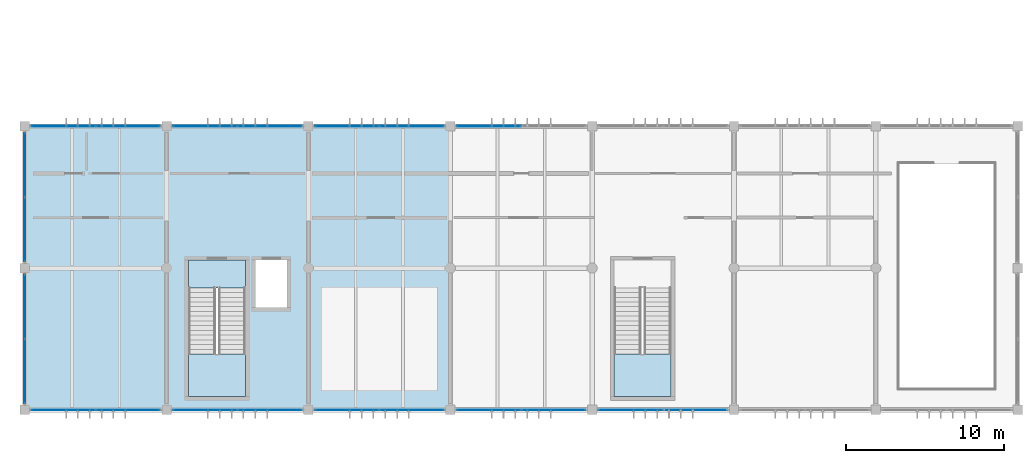
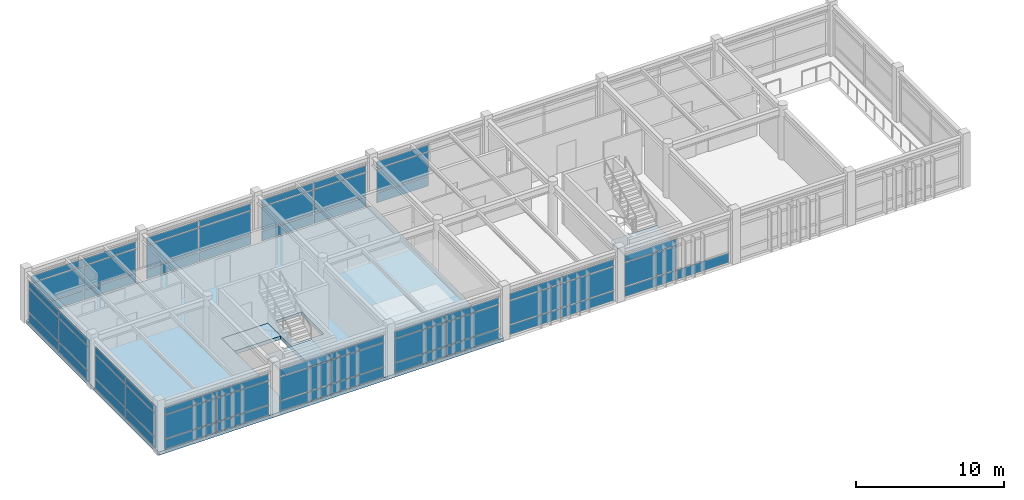
# One storey, part 30 of 55: 61 plates, 4 slabs, 13 elements without a shape of their own.
"""IFC4 building model written with IfcOpenShell, lengths in metres."""

import ifcopenshell
import ifcopenshell.guid

model = None  # the IFC model being written
_history = None  # IfcOwnerHistory: only IFC2X3 demands one
_inside = {}  # id of a spatial element -> (the spatial element, [elements in it])
_under = {}  # id of a project, library or spatial element -> (it, [spatial elements below it])
_declared = {}  # id of a project -> (the project, [libraries it declares])
_typed = {}  # id of a type object -> (the type object, [elements of that type])
_made_of = {}  # id of a material, layer set ... -> (it, [elements and type objects made of it])


def new_model(schema):
    """Start an empty IFC model of exactly this schema.

    Asked for "IFC4X3", IfcOpenShell would pick the latest addendum, in which some entities
    have other attributes; the version numbers below select the first issue.
    IFC2X3 requires an IfcOwnerHistory on every rooted entity: one is made here for all.
    """
    global model, _history
    if schema == "IFC4X3":
        model = ifcopenshell.file(schema_version=(4, 3, 0, 0))
    else:
        model = ifcopenshell.file(schema=schema)
    _inside.clear()
    _under.clear()
    _declared.clear()
    _typed.clear()
    _made_of.clear()
    _history = None
    if model.schema == "IFC2X3":
        org = make("IfcOrganization", Name="unknown")
        user = make(
            "IfcPersonAndOrganization",
            ThePerson=make("IfcPerson", FamilyName="unknown"),
            TheOrganization=org,
        )
        app = make(
            "IfcApplication",
            ApplicationDeveloper=org,
            Version="unknown",
            ApplicationFullName="unknown",
            ApplicationIdentifier="unknown",
        )
        _history = make(
            "IfcOwnerHistory",
            OwningUser=user,
            OwningApplication=app,
            ChangeAction="ADDED",
            CreationDate=0,
        )
    return model


def make(cls, **values):
    """One entity of the class cls with the attributes given. An attribute that is None is left unset."""
    return model.create_entity(
        cls, **{name: value for name, value in values.items() if value is not None}
    )


def rooted(cls, **values):
    """An entity with a GlobalId (a new one), such as an element, a storey or a relation."""
    return make(cls, GlobalId=ifcopenshell.guid.new(), OwnerHistory=_history, **values)


def si_unit(unit_type, name, prefix=None):
    """IfcSIUnit, for example si_unit("LENGTHUNIT", "METRE", prefix="MILLI")."""
    return make("IfcSIUnit", UnitType=unit_type, Prefix=prefix, Name=name)


def assignment(units):
    """IfcUnitAssignment: the units of a project."""
    return None if units is None else make("IfcUnitAssignment", Units=units)


def point(xyz):
    """IfcCartesianPoint."""
    return None if xyz is None else make("IfcCartesianPoint", Coordinates=xyz)


def direction(xyz):
    """IfcDirection."""
    return None if xyz is None else make("IfcDirection", DirectionRatios=xyz)


def frame(location, z_axis=None, x_axis=None):
    """IfcAxis2Placement3D, a coordinate frame: its origin and axes. An axis left out is left unset."""
    return make(
        "IfcAxis2Placement3D",
        Location=point(location),
        Axis=direction(z_axis),
        RefDirection=direction(x_axis),
    )


def frame_2d(location, x_axis=None):
    """IfcAxis2Placement2D, a coordinate frame in the plane: its origin and x axis."""
    return make(
        "IfcAxis2Placement2D", Location=point(location), RefDirection=direction(x_axis)
    )


def origin():
    """The frame at (0, 0, 0) with its axes left unset."""
    return frame((0.0, 0.0, 0.0))


def origin_2d():
    """The frame at (0, 0) in the plane with its x axis left unset."""
    return frame_2d((0.0, 0.0))


def place(relative_to, where):
    """IfcLocalPlacement: puts the frame where relative to a parent placement (None: the world)."""
    return make(
        "IfcLocalPlacement", PlacementRelTo=relative_to, RelativePlacement=where
    )


def context(
    kind, dimensions, precision=None, world=None, true_north=None, identifier=None
):
    """IfcGeometricRepresentationContext, for example the 3D "Model" context."""
    return make(
        "IfcGeometricRepresentationContext",
        ContextIdentifier=identifier,
        ContextType=kind,
        CoordinateSpaceDimension=dimensions,
        Precision=precision,
        WorldCoordinateSystem=world,
        TrueNorth=true_north,
    )


def subcontext(parent, identifier, kind, view, scale=None):
    """IfcGeometricRepresentationSubContext, for example "Body" below "Model"."""
    return make(
        "IfcGeometricRepresentationSubContext",
        ContextIdentifier=identifier,
        ContextType=kind,
        ParentContext=parent,
        TargetScale=scale,
        TargetView=view,
    )


def project(units=None, contexts=None):
    """IfcProject with its units and contexts."""
    return rooted(
        "IfcProject",
        Name="project",
        RepresentationContexts=contexts,
        UnitsInContext=assignment(units),
    )


def spatial(cls, under=None, at=None, **own):
    """A site, building, storey or space (cls), placed at a placement, below another one or the project."""
    s = rooted(cls, ObjectPlacement=at, **own)
    if under is not None:
        _under.setdefault(under.id(), (under, []))[1].append(s)
    return s


def polyline(points):
    """IfcPolyline through the points."""
    return make("IfcPolyline", Points=[point(p) for p in points])


def profile(cls, at=None, kind="AREA", **sizes):
    """A parametric profile (cls). Its sizes go by their IFC names, for example OverallWidth=200.0."""
    return make(cls, ProfileType=kind, Position=at, **sizes)


def rectangle(**sizes):
    """IfcRectangleProfileDef."""
    return profile("IfcRectangleProfileDef", **sizes)


def outline(outer, holes=None, kind="AREA"):
    """IfcArbitraryClosedProfileDef: a profile drawn as a closed curve; with holes, ...WithVoids."""
    if holes is None:
        return make("IfcArbitraryClosedProfileDef", ProfileType=kind, OuterCurve=outer)
    return make(
        "IfcArbitraryProfileDefWithVoids",
        ProfileType=kind,
        OuterCurve=outer,
        InnerCurves=holes,
    )


def extrude(swept, where, along, depth):
    """IfcExtrudedAreaSolid: the profile swept, set in the frame where, extruded along a direction by depth."""
    return make(
        "IfcExtrudedAreaSolid",
        SweptArea=swept,
        Position=where,
        ExtrudedDirection=direction(along),
        Depth=depth,
    )


def shape(context_of_items, identifier, shape_type, items):
    """IfcShapeRepresentation: the items that make up one representation, for example the "Body"."""
    return make(
        "IfcShapeRepresentation",
        ContextOfItems=context_of_items,
        RepresentationIdentifier=identifier,
        RepresentationType=shape_type,
        Items=items,
    )


def material(Name=None, Category=None):
    """IfcMaterial."""
    return make("IfcMaterial", Name=Name, Category=Category)


def layer(
    of_material, thickness, ventilated=None, Name=None, Category=None, Priority=None
):
    """IfcMaterialLayer: one layer of a wall or slab, of a material (None: an air gap)."""
    return make(
        "IfcMaterialLayer",
        Material=of_material,
        LayerThickness=thickness,
        IsVentilated=ventilated,
        Name=Name,
        Category=Category,
        Priority=Priority,
    )


def layer_set(layers, Name=None):
    """IfcMaterialLayerSet."""
    return make("IfcMaterialLayerSet", MaterialLayers=layers, LayerSetName=Name)


def made_of(thing, what):
    """Note that an element or type object is made of a material, layer set ...; save() writes the relation."""
    if what is not None:
        _made_of.setdefault(what.id(), (what, []))[1].append(thing)
    return thing


def type_object(cls, material=None, **own):
    """A type object (cls), such as IfcWallType, which elements share."""
    return made_of(rooted(cls, **own), material)


def element(
    cls,
    number,
    at=None,
    inside=None,
    cuts=None,
    type_object=None,
    material=None,
    context=None,
    identifier="Body",
    shape_type=None,
    held_by="IfcProductDefinitionShape",
    body=None,
    shapes=None,
    **own,
):
    """One element of the class cls, such as IfcWall. Its Tag is "e" and its number.

    at: its placement. inside: the storey or other place that contains it. cuts: it is an
    opening in that element (IfcRelVoidsElement). A single representation is given by context,
    identifier, shape_type and body (its items); several are given by shapes. held_by: the class
    of the entity that holds the representations. save() writes the other relations.
    """
    e = rooted(cls, Tag="e%d" % number, ObjectPlacement=at, **own)
    if body is not None:
        shapes = [shape(context, identifier, shape_type, body)]
    if shapes is not None:
        e.Representation = make(held_by, Representations=shapes)
    if inside is not None:
        _inside.setdefault(inside.id(), (inside, []))[1].append(e)
    if cuts is not None:
        rooted(
            "IfcRelVoidsElement", RelatingBuildingElement=cuts, RelatedOpeningElement=e
        )
    if type_object is not None:
        _typed.setdefault(type_object.id(), (type_object, []))[1].append(e)
    return made_of(e, material)


def aggregate(whole, parts):
    """IfcRelAggregates: a whole, such as a stair, and the parts it consists of."""
    return rooted("IfcRelAggregates", RelatingObject=whole, RelatedObjects=parts)


def save(model, path):
    """Write the relations noted so far, then the file.

    IfcRelAggregates (storeys below a building ...), IfcRelContainedInSpatialStructure (elements
    in a storey), IfcRelDefinesByType, IfcRelAssociatesMaterial and IfcRelDeclares: one each for
    every whole, place, type object, material and project.
    """
    for whole, parts in _under.values():
        aggregate(whole, parts)
    for where, things in _inside.values():
        rooted(
            "IfcRelContainedInSpatialStructure",
            RelatedElements=things,
            RelatingStructure=where,
        )
    for kind, things in _typed.values():
        rooted("IfcRelDefinesByType", RelatedObjects=things, RelatingType=kind)
    for what, things in _made_of.values():
        rooted("IfcRelAssociatesMaterial", RelatedObjects=things, RelatingMaterial=what)
    for by, libraries in _declared.values():
        rooted("IfcRelDeclares", RelatingContext=by, RelatedDefinitions=libraries)
    model.write(path)


model = new_model("IFC4")

# Units and contexts
model_context = context("Model", 3, precision=1e-05, world=origin(), true_north=direction((0.0, 1.0)))
body_context = subcontext(model_context, "Body", "Model", "MODEL_VIEW")
ifc_project = project(units=[si_unit("LENGTHUNIT", "METRE"), si_unit("AREAUNIT", "SQUARE_METRE"), si_unit("VOLUMEUNIT", "CUBIC_METRE"), si_unit("PLANEANGLEUNIT", "RADIAN"), si_unit("MASSUNIT", "GRAM", prefix="KILO")], contexts=[model_context])

# Site, building, storey
site_placement = place(None, origin())
site = spatial("IfcSite", under=ifc_project, at=site_placement, CompositionType="ELEMENT")
building_placement = place(site_placement, origin())
building = spatial("IfcBuilding", under=site, at=building_placement, Name="Bozkorgan Art Gallery", CompositionType="ELEMENT")
storey_placement = place(building_placement, frame((0.0, 0.0, 15.0)))
storey = spatial("IfcBuildingStorey", under=building, at=storey_placement, Name="L03", CompositionType="ELEMENT", Elevation=15.0)

# Curtain wall, plates
ifc_material_1 = material(Name="Anodised Bronze Aluminium", Category="aluminium")
curtain_wall_type = type_object("IfcCurtainWallType", Name="CW-CW-42", PredefinedType="NOTDEFINED", material=ifc_material_1)
curtain_wall_1_placement = place(storey_placement, origin())
curtain_wall_1 = element("IfcCurtainWall", 1, at=curtain_wall_1_placement, inside=storey, type_object=curtain_wall_type, Name="L03 unitised curtain wall CW-V1-L03-1S-01", PredefinedType="NOTDEFINED")
ifc_material_2 = material(Name="Triple Low-E Laminated Glass", Category="glass")
ifc_layer_1 = layer(ifc_material_2, 0.0439453125, Name="Triple Low-E Laminated Glass")
ifc_layer_set_1 = layer_set([ifc_layer_1], Name="Triple Low-E Laminated Glass")
plate_type = type_object("IfcPlateType", Name="CWP-GLZ", PredefinedType="CURTAIN_PANEL", material=ifc_layer_set_1)
plate_1_placement = place(storey_placement, frame((4.44873046875, 2.0, 0.094970703125), z_axis=(0.0, 0.0, 1.0), x_axis=(1.0, 0.0, 0.0)))
plate_1 = element("IfcPlate", 2, at=plate_1_placement, type_object=plate_type, Name="CW-42 panel 1.1", PredefinedType="CURTAIN_PANEL", context=body_context, shape_type="SweptSolid", body=[
    extrude(rectangle(XDim=4.03759765625, YDim=0.0439453125, at=origin_2d()), origin(), (0.0, 0.0, 1.0), 0.78759765625),
])
plate_2_placement = place(storey_placement, frame((4.44873046875, 2.0, 0.95751953125), z_axis=(0.0, 0.0, 1.0), x_axis=(1.0, 0.0, 0.0)))
plate_2 = element("IfcPlate", 3, at=plate_2_placement, type_object=plate_type, Name="CW-42 panel 1.2", PredefinedType="CURTAIN_PANEL", context=body_context, shape_type="SweptSolid", body=[
    extrude(rectangle(XDim=4.03759765625, YDim=0.0439453125, at=origin_2d()), origin(), (0.0, 0.0, 1.0), 1.929931640625),
])
plate_3_placement = place(storey_placement, frame((4.44873046875, 2.0, 2.96240234375), z_axis=(0.0, 0.0, 1.0), x_axis=(1.0, 0.0, 0.0)))
plate_3 = element("IfcPlate", 4, at=plate_3_placement, type_object=plate_type, Name="CW-42 panel 1.3", PredefinedType="CURTAIN_PANEL", context=body_context, shape_type="SweptSolid", body=[
    extrude(rectangle(XDim=4.03759765625, YDim=0.0439453125, at=origin_2d()), origin(), (0.0, 0.0, 1.0), 0.53759765625),
])
plate_4_placement = place(storey_placement, frame((8.55126953125, 2.0, 0.094970703125), z_axis=(0.0, 0.0, 1.0), x_axis=(1.0, 0.0, 0.0)))
plate_4 = element("IfcPlate", 5, at=plate_4_placement, type_object=plate_type, Name="CW-42 panel 2.1", PredefinedType="CURTAIN_PANEL", context=body_context, shape_type="SweptSolid", body=[
    extrude(rectangle(XDim=4.03759765625, YDim=0.0439453125, at=origin_2d()), origin(), (0.0, 0.0, 1.0), 0.78759765625),
])
plate_5_placement = place(storey_placement, frame((8.55126953125, 2.0, 0.95751953125), z_axis=(0.0, 0.0, 1.0), x_axis=(1.0, 0.0, 0.0)))
plate_5 = element("IfcPlate", 6, at=plate_5_placement, type_object=plate_type, Name="CW-42 panel 2.2", PredefinedType="CURTAIN_PANEL", context=body_context, shape_type="SweptSolid", body=[
    extrude(rectangle(XDim=4.03759765625, YDim=0.0439453125, at=origin_2d()), origin(), (0.0, 0.0, 1.0), 1.929931640625),
])
plate_6_placement = place(storey_placement, frame((8.55126953125, 2.0, 2.96240234375), z_axis=(0.0, 0.0, 1.0), x_axis=(1.0, 0.0, 0.0)))
plate_6 = element("IfcPlate", 7, at=plate_6_placement, type_object=plate_type, Name="CW-42 panel 2.3", PredefinedType="CURTAIN_PANEL", context=body_context, shape_type="SweptSolid", body=[
    extrude(rectangle(XDim=4.03759765625, YDim=0.0439453125, at=origin_2d()), origin(), (0.0, 0.0, 1.0), 0.53759765625),
])
aggregate(curtain_wall_1, [plate_1, plate_2, plate_3, plate_4, plate_5, plate_6])

curtain_wall_2_placement = place(storey_placement, origin())
curtain_wall_2 = element("IfcCurtainWall", 8, at=curtain_wall_2_placement, inside=storey, type_object=curtain_wall_type, Name="L03 unitised curtain wall CW-V1-L03-1N-02", PredefinedType="NOTDEFINED")
plate_7_placement = place(storey_placement, frame((4.44873046875, 20.0, 0.094970703125), z_axis=(0.0, 0.0, 1.0), x_axis=(1.0, 0.0, 0.0)))
plate_7 = element("IfcPlate", 9, at=plate_7_placement, type_object=plate_type, Name="CW-42 panel 1.1", PredefinedType="CURTAIN_PANEL", context=body_context, shape_type="SweptSolid", body=[
    extrude(rectangle(XDim=4.03759765625, YDim=0.0439453125, at=origin_2d()), origin(), (0.0, 0.0, 1.0), 0.78759765625),
])
plate_8_placement = place(storey_placement, frame((4.44873046875, 20.0, 0.95751953125), z_axis=(0.0, 0.0, 1.0), x_axis=(1.0, 0.0, 0.0)))
plate_8 = element("IfcPlate", 10, at=plate_8_placement, type_object=plate_type, Name="CW-42 panel 1.2", PredefinedType="CURTAIN_PANEL", context=body_context, shape_type="SweptSolid", body=[
    extrude(rectangle(XDim=4.03759765625, YDim=0.0439453125, at=origin_2d()), origin(), (0.0, 0.0, 1.0), 1.929931640625),
])
plate_9_placement = place(storey_placement, frame((4.44873046875, 20.0, 2.96240234375), z_axis=(0.0, 0.0, 1.0), x_axis=(1.0, 0.0, 0.0)))
plate_9 = element("IfcPlate", 11, at=plate_9_placement, type_object=plate_type, Name="CW-42 panel 1.3", PredefinedType="CURTAIN_PANEL", context=body_context, shape_type="SweptSolid", body=[
    extrude(rectangle(XDim=4.03759765625, YDim=0.0439453125, at=origin_2d()), origin(), (0.0, 0.0, 1.0), 0.53759765625),
])
plate_10_placement = place(storey_placement, frame((8.55126953125, 20.0, 0.094970703125), z_axis=(0.0, 0.0, 1.0), x_axis=(1.0, 0.0, 0.0)))
plate_10 = element("IfcPlate", 12, at=plate_10_placement, type_object=plate_type, Name="CW-42 panel 2.1", PredefinedType="CURTAIN_PANEL", context=body_context, shape_type="SweptSolid", body=[
    extrude(rectangle(XDim=4.03759765625, YDim=0.0439453125, at=origin_2d()), origin(), (0.0, 0.0, 1.0), 0.78759765625),
])
plate_11_placement = place(storey_placement, frame((8.55126953125, 20.0, 0.95751953125), z_axis=(0.0, 0.0, 1.0), x_axis=(1.0, 0.0, 0.0)))
plate_11 = element("IfcPlate", 13, at=plate_11_placement, type_object=plate_type, Name="CW-42 panel 2.2", PredefinedType="CURTAIN_PANEL", context=body_context, shape_type="SweptSolid", body=[
    extrude(rectangle(XDim=4.03759765625, YDim=0.0439453125, at=origin_2d()), origin(), (0.0, 0.0, 1.0), 1.929931640625),
])
plate_12_placement = place(storey_placement, frame((8.55126953125, 20.0, 2.96240234375), z_axis=(0.0, 0.0, 1.0), x_axis=(1.0, 0.0, 0.0)))
plate_12 = element("IfcPlate", 14, at=plate_12_placement, type_object=plate_type, Name="CW-42 panel 2.3", PredefinedType="CURTAIN_PANEL", context=body_context, shape_type="SweptSolid", body=[
    extrude(rectangle(XDim=4.03759765625, YDim=0.0439453125, at=origin_2d()), origin(), (0.0, 0.0, 1.0), 0.53759765625),
])
aggregate(curtain_wall_2, [plate_7, plate_8, plate_9, plate_10, plate_11, plate_12])

curtain_wall_3_placement = place(storey_placement, origin())
curtain_wall_3 = element("IfcCurtainWall", 15, at=curtain_wall_3_placement, inside=storey, type_object=curtain_wall_type, Name="L03 unitised curtain wall CW-V1-L03-1S-03", PredefinedType="NOTDEFINED")
plate_13_placement = place(storey_placement, frame((13.44873046875, 2.0, 0.094970703125), z_axis=(0.0, 0.0, 1.0), x_axis=(1.0, 0.0, 0.0)))
plate_13 = element("IfcPlate", 16, at=plate_13_placement, type_object=plate_type, Name="CW-42 panel 1.1", PredefinedType="CURTAIN_PANEL", context=body_context, shape_type="SweptSolid", body=[
    extrude(rectangle(XDim=4.03759765625, YDim=0.0439453125, at=origin_2d()), origin(), (0.0, 0.0, 1.0), 0.78759765625),
])
plate_14_placement = place(storey_placement, frame((13.44873046875, 2.0, 0.95751953125), z_axis=(0.0, 0.0, 1.0), x_axis=(1.0, 0.0, 0.0)))
plate_14 = element("IfcPlate", 17, at=plate_14_placement, type_object=plate_type, Name="CW-42 panel 1.2", PredefinedType="CURTAIN_PANEL", context=body_context, shape_type="SweptSolid", body=[
    extrude(rectangle(XDim=4.03759765625, YDim=0.0439453125, at=origin_2d()), origin(), (0.0, 0.0, 1.0), 1.929931640625),
])
plate_15_placement = place(storey_placement, frame((13.44873046875, 2.0, 2.96240234375), z_axis=(0.0, 0.0, 1.0), x_axis=(1.0, 0.0, 0.0)))
plate_15 = element("IfcPlate", 18, at=plate_15_placement, type_object=plate_type, Name="CW-42 panel 1.3", PredefinedType="CURTAIN_PANEL", context=body_context, shape_type="SweptSolid", body=[
    extrude(rectangle(XDim=4.03759765625, YDim=0.0439453125, at=origin_2d()), origin(), (0.0, 0.0, 1.0), 0.53759765625),
])
plate_16_placement = place(storey_placement, frame((17.55126953125, 2.0, 0.094970703125), z_axis=(0.0, 0.0, 1.0), x_axis=(1.0, 0.0, 0.0)))
plate_16 = element("IfcPlate", 19, at=plate_16_placement, type_object=plate_type, Name="CW-42 panel 2.1", PredefinedType="CURTAIN_PANEL", context=body_context, shape_type="SweptSolid", body=[
    extrude(rectangle(XDim=4.03759765625, YDim=0.0439453125, at=origin_2d()), origin(), (0.0, 0.0, 1.0), 0.78759765625),
])
plate_17_placement = place(storey_placement, frame((17.55126953125, 2.0, 0.95751953125), z_axis=(0.0, 0.0, 1.0), x_axis=(1.0, 0.0, 0.0)))
plate_17 = element("IfcPlate", 20, at=plate_17_placement, type_object=plate_type, Name="CW-42 panel 2.2", PredefinedType="CURTAIN_PANEL", context=body_context, shape_type="SweptSolid", body=[
    extrude(rectangle(XDim=4.03759765625, YDim=0.0439453125, at=origin_2d()), origin(), (0.0, 0.0, 1.0), 1.929931640625),
])
plate_18_placement = place(storey_placement, frame((17.55126953125, 2.0, 2.96240234375), z_axis=(0.0, 0.0, 1.0), x_axis=(1.0, 0.0, 0.0)))
plate_18 = element("IfcPlate", 21, at=plate_18_placement, type_object=plate_type, Name="CW-42 panel 2.3", PredefinedType="CURTAIN_PANEL", context=body_context, shape_type="SweptSolid", body=[
    extrude(rectangle(XDim=4.03759765625, YDim=0.0439453125, at=origin_2d()), origin(), (0.0, 0.0, 1.0), 0.53759765625),
])
aggregate(curtain_wall_3, [plate_13, plate_14, plate_15, plate_16, plate_17, plate_18])

curtain_wall_4_placement = place(storey_placement, origin())
curtain_wall_4 = element("IfcCurtainWall", 22, at=curtain_wall_4_placement, inside=storey, type_object=curtain_wall_type, Name="L03 unitised curtain wall CW-V1-L03-1N-04", PredefinedType="NOTDEFINED")
plate_19_placement = place(storey_placement, frame((13.44873046875, 20.0, 0.094970703125), z_axis=(0.0, 0.0, 1.0), x_axis=(1.0, 0.0, 0.0)))
plate_19 = element("IfcPlate", 23, at=plate_19_placement, type_object=plate_type, Name="CW-42 panel 1.1", PredefinedType="CURTAIN_PANEL", context=body_context, shape_type="SweptSolid", body=[
    extrude(rectangle(XDim=4.03759765625, YDim=0.0439453125, at=origin_2d()), origin(), (0.0, 0.0, 1.0), 0.78759765625),
])
plate_20_placement = place(storey_placement, frame((13.44873046875, 20.0, 0.95751953125), z_axis=(0.0, 0.0, 1.0), x_axis=(1.0, 0.0, 0.0)))
plate_20 = element("IfcPlate", 24, at=plate_20_placement, type_object=plate_type, Name="CW-42 panel 1.2", PredefinedType="CURTAIN_PANEL", context=body_context, shape_type="SweptSolid", body=[
    extrude(rectangle(XDim=4.03759765625, YDim=0.0439453125, at=origin_2d()), origin(), (0.0, 0.0, 1.0), 1.929931640625),
])
plate_21_placement = place(storey_placement, frame((13.44873046875, 20.0, 2.96240234375), z_axis=(0.0, 0.0, 1.0), x_axis=(1.0, 0.0, 0.0)))
plate_21 = element("IfcPlate", 25, at=plate_21_placement, type_object=plate_type, Name="CW-42 panel 1.3", PredefinedType="CURTAIN_PANEL", context=body_context, shape_type="SweptSolid", body=[
    extrude(rectangle(XDim=4.03759765625, YDim=0.0439453125, at=origin_2d()), origin(), (0.0, 0.0, 1.0), 0.53759765625),
])
plate_22_placement = place(storey_placement, frame((17.55126953125, 20.0, 0.094970703125), z_axis=(0.0, 0.0, 1.0), x_axis=(1.0, 0.0, 0.0)))
plate_22 = element("IfcPlate", 26, at=plate_22_placement, type_object=plate_type, Name="CW-42 panel 2.1", PredefinedType="CURTAIN_PANEL", context=body_context, shape_type="SweptSolid", body=[
    extrude(rectangle(XDim=4.03759765625, YDim=0.0439453125, at=origin_2d()), origin(), (0.0, 0.0, 1.0), 0.78759765625),
])
plate_23_placement = place(storey_placement, frame((17.55126953125, 20.0, 0.95751953125), z_axis=(0.0, 0.0, 1.0), x_axis=(1.0, 0.0, 0.0)))
plate_23 = element("IfcPlate", 27, at=plate_23_placement, type_object=plate_type, Name="CW-42 panel 2.2", PredefinedType="CURTAIN_PANEL", context=body_context, shape_type="SweptSolid", body=[
    extrude(rectangle(XDim=4.03759765625, YDim=0.0439453125, at=origin_2d()), origin(), (0.0, 0.0, 1.0), 1.929931640625),
])
plate_24_placement = place(storey_placement, frame((17.55126953125, 20.0, 2.96240234375), z_axis=(0.0, 0.0, 1.0), x_axis=(1.0, 0.0, 0.0)))
plate_24 = element("IfcPlate", 28, at=plate_24_placement, type_object=plate_type, Name="CW-42 panel 2.3", PredefinedType="CURTAIN_PANEL", context=body_context, shape_type="SweptSolid", body=[
    extrude(rectangle(XDim=4.03759765625, YDim=0.0439453125, at=origin_2d()), origin(), (0.0, 0.0, 1.0), 0.53759765625),
])
aggregate(curtain_wall_4, [plate_19, plate_20, plate_21, plate_22, plate_23, plate_24])

curtain_wall_5_placement = place(storey_placement, origin())
curtain_wall_5 = element("IfcCurtainWall", 29, at=curtain_wall_5_placement, inside=storey, type_object=curtain_wall_type, Name="L03 unitised curtain wall CW-V1-L03-1S-05", PredefinedType="NOTDEFINED")
plate_25_placement = place(storey_placement, frame((22.44873046875, 2.0, 0.094970703125), z_axis=(0.0, 0.0, 1.0), x_axis=(1.0, 0.0, 0.0)))
plate_25 = element("IfcPlate", 30, at=plate_25_placement, type_object=plate_type, Name="CW-42 panel 1.1", PredefinedType="CURTAIN_PANEL", context=body_context, shape_type="SweptSolid", body=[
    extrude(rectangle(XDim=4.03759765625, YDim=0.0439453125, at=origin_2d()), origin(), (0.0, 0.0, 1.0), 0.78759765625),
])
plate_26_placement = place(storey_placement, frame((22.44873046875, 2.0, 0.95751953125), z_axis=(0.0, 0.0, 1.0), x_axis=(1.0, 0.0, 0.0)))
plate_26 = element("IfcPlate", 31, at=plate_26_placement, type_object=plate_type, Name="CW-42 panel 1.2", PredefinedType="CURTAIN_PANEL", context=body_context, shape_type="SweptSolid", body=[
    extrude(rectangle(XDim=4.03759765625, YDim=0.0439453125, at=origin_2d()), origin(), (0.0, 0.0, 1.0), 1.929931640625),
])
plate_27_placement = place(storey_placement, frame((22.44873046875, 2.0, 2.96240234375), z_axis=(0.0, 0.0, 1.0), x_axis=(1.0, 0.0, 0.0)))
plate_27 = element("IfcPlate", 32, at=plate_27_placement, type_object=plate_type, Name="CW-42 panel 1.3", PredefinedType="CURTAIN_PANEL", context=body_context, shape_type="SweptSolid", body=[
    extrude(rectangle(XDim=4.03759765625, YDim=0.0439453125, at=origin_2d()), origin(), (0.0, 0.0, 1.0), 0.53759765625),
])
plate_28_placement = place(storey_placement, frame((26.55126953125, 2.0, 0.094970703125), z_axis=(0.0, 0.0, 1.0), x_axis=(1.0, 0.0, 0.0)))
plate_28 = element("IfcPlate", 33, at=plate_28_placement, type_object=plate_type, Name="CW-42 panel 2.1", PredefinedType="CURTAIN_PANEL", context=body_context, shape_type="SweptSolid", body=[
    extrude(rectangle(XDim=4.03759765625, YDim=0.0439453125, at=origin_2d()), origin(), (0.0, 0.0, 1.0), 0.78759765625),
])
plate_29_placement = place(storey_placement, frame((26.55126953125, 2.0, 0.95751953125), z_axis=(0.0, 0.0, 1.0), x_axis=(1.0, 0.0, 0.0)))
plate_29 = element("IfcPlate", 34, at=plate_29_placement, type_object=plate_type, Name="CW-42 panel 2.2", PredefinedType="CURTAIN_PANEL", context=body_context, shape_type="SweptSolid", body=[
    extrude(rectangle(XDim=4.03759765625, YDim=0.0439453125, at=origin_2d()), origin(), (0.0, 0.0, 1.0), 1.929931640625),
])
plate_30_placement = place(storey_placement, frame((26.55126953125, 2.0, 2.96240234375), z_axis=(0.0, 0.0, 1.0), x_axis=(1.0, 0.0, 0.0)))
plate_30 = element("IfcPlate", 35, at=plate_30_placement, type_object=plate_type, Name="CW-42 panel 2.3", PredefinedType="CURTAIN_PANEL", context=body_context, shape_type="SweptSolid", body=[
    extrude(rectangle(XDim=4.03759765625, YDim=0.0439453125, at=origin_2d()), origin(), (0.0, 0.0, 1.0), 0.53759765625),
])
aggregate(curtain_wall_5, [plate_25, plate_26, plate_27, plate_28, plate_29, plate_30])

curtain_wall_6_placement = place(storey_placement, origin())
curtain_wall_6 = element("IfcCurtainWall", 36, at=curtain_wall_6_placement, inside=storey, type_object=curtain_wall_type, Name="L03 unitised curtain wall CW-V1-L03-1N-06", PredefinedType="NOTDEFINED")
plate_31_placement = place(storey_placement, frame((22.44873046875, 20.0, 0.094970703125), z_axis=(0.0, 0.0, 1.0), x_axis=(1.0, 0.0, 0.0)))
plate_31 = element("IfcPlate", 37, at=plate_31_placement, type_object=plate_type, Name="CW-42 panel 1.1", PredefinedType="CURTAIN_PANEL", context=body_context, shape_type="SweptSolid", body=[
    extrude(rectangle(XDim=4.03759765625, YDim=0.0439453125, at=origin_2d()), origin(), (0.0, 0.0, 1.0), 0.78759765625),
])
plate_32_placement = place(storey_placement, frame((22.44873046875, 20.0, 0.95751953125), z_axis=(0.0, 0.0, 1.0), x_axis=(1.0, 0.0, 0.0)))
plate_32 = element("IfcPlate", 38, at=plate_32_placement, type_object=plate_type, Name="CW-42 panel 1.2", PredefinedType="CURTAIN_PANEL", context=body_context, shape_type="SweptSolid", body=[
    extrude(rectangle(XDim=4.03759765625, YDim=0.0439453125, at=origin_2d()), origin(), (0.0, 0.0, 1.0), 1.929931640625),
])
plate_33_placement = place(storey_placement, frame((22.44873046875, 20.0, 2.96240234375), z_axis=(0.0, 0.0, 1.0), x_axis=(1.0, 0.0, 0.0)))
plate_33 = element("IfcPlate", 39, at=plate_33_placement, type_object=plate_type, Name="CW-42 panel 1.3", PredefinedType="CURTAIN_PANEL", context=body_context, shape_type="SweptSolid", body=[
    extrude(rectangle(XDim=4.03759765625, YDim=0.0439453125, at=origin_2d()), origin(), (0.0, 0.0, 1.0), 0.53759765625),
])
plate_34_placement = place(storey_placement, frame((26.55126953125, 20.0, 0.094970703125), z_axis=(0.0, 0.0, 1.0), x_axis=(1.0, 0.0, 0.0)))
plate_34 = element("IfcPlate", 40, at=plate_34_placement, type_object=plate_type, Name="CW-42 panel 2.1", PredefinedType="CURTAIN_PANEL", context=body_context, shape_type="SweptSolid", body=[
    extrude(rectangle(XDim=4.03759765625, YDim=0.0439453125, at=origin_2d()), origin(), (0.0, 0.0, 1.0), 0.78759765625),
])
plate_35_placement = place(storey_placement, frame((26.55126953125, 20.0, 0.95751953125), z_axis=(0.0, 0.0, 1.0), x_axis=(1.0, 0.0, 0.0)))
plate_35 = element("IfcPlate", 41, at=plate_35_placement, type_object=plate_type, Name="CW-42 panel 2.2", PredefinedType="CURTAIN_PANEL", context=body_context, shape_type="SweptSolid", body=[
    extrude(rectangle(XDim=4.03759765625, YDim=0.0439453125, at=origin_2d()), origin(), (0.0, 0.0, 1.0), 1.929931640625),
])
plate_36_placement = place(storey_placement, frame((26.55126953125, 20.0, 2.96240234375), z_axis=(0.0, 0.0, 1.0), x_axis=(1.0, 0.0, 0.0)))
plate_36 = element("IfcPlate", 42, at=plate_36_placement, type_object=plate_type, Name="CW-42 panel 2.3", PredefinedType="CURTAIN_PANEL", context=body_context, shape_type="SweptSolid", body=[
    extrude(rectangle(XDim=4.03759765625, YDim=0.0439453125, at=origin_2d()), origin(), (0.0, 0.0, 1.0), 0.53759765625),
])
aggregate(curtain_wall_6, [plate_31, plate_32, plate_33, plate_34, plate_35, plate_36])

curtain_wall_7_placement = place(storey_placement, origin())
curtain_wall_7 = element("IfcCurtainWall", 43, at=curtain_wall_7_placement, inside=storey, type_object=curtain_wall_type, Name="L03 unitised curtain wall CW-V1-L03-1S-07", PredefinedType="NOTDEFINED")
plate_37_placement = place(storey_placement, frame((31.44873046875, 2.0, 0.094970703125), z_axis=(0.0, 0.0, 1.0), x_axis=(1.0, 0.0, 0.0)))
plate_37 = element("IfcPlate", 44, at=plate_37_placement, type_object=plate_type, Name="CW-42 panel 1.1", PredefinedType="CURTAIN_PANEL", context=body_context, shape_type="SweptSolid", body=[
    extrude(rectangle(XDim=4.03759765625, YDim=0.0439453125, at=origin_2d()), origin(), (0.0, 0.0, 1.0), 0.78759765625),
])
plate_38_placement = place(storey_placement, frame((31.44873046875, 2.0, 0.95751953125), z_axis=(0.0, 0.0, 1.0), x_axis=(1.0, 0.0, 0.0)))
plate_38 = element("IfcPlate", 45, at=plate_38_placement, type_object=plate_type, Name="CW-42 panel 1.2", PredefinedType="CURTAIN_PANEL", context=body_context, shape_type="SweptSolid", body=[
    extrude(rectangle(XDim=4.03759765625, YDim=0.0439453125, at=origin_2d()), origin(), (0.0, 0.0, 1.0), 1.929931640625),
])
plate_39_placement = place(storey_placement, frame((31.44873046875, 2.0, 2.96240234375), z_axis=(0.0, 0.0, 1.0), x_axis=(1.0, 0.0, 0.0)))
plate_39 = element("IfcPlate", 46, at=plate_39_placement, type_object=plate_type, Name="CW-42 panel 1.3", PredefinedType="CURTAIN_PANEL", context=body_context, shape_type="SweptSolid", body=[
    extrude(rectangle(XDim=4.03759765625, YDim=0.0439453125, at=origin_2d()), origin(), (0.0, 0.0, 1.0), 0.53759765625),
])
plate_40_placement = place(storey_placement, frame((35.55126953125, 2.0, 0.094970703125), z_axis=(0.0, 0.0, 1.0), x_axis=(1.0, 0.0, 0.0)))
plate_40 = element("IfcPlate", 47, at=plate_40_placement, type_object=plate_type, Name="CW-42 panel 2.1", PredefinedType="CURTAIN_PANEL", context=body_context, shape_type="SweptSolid", body=[
    extrude(rectangle(XDim=4.03759765625, YDim=0.0439453125, at=origin_2d()), origin(), (0.0, 0.0, 1.0), 0.78759765625),
])
plate_41_placement = place(storey_placement, frame((35.55126953125, 2.0, 0.95751953125), z_axis=(0.0, 0.0, 1.0), x_axis=(1.0, 0.0, 0.0)))
plate_41 = element("IfcPlate", 48, at=plate_41_placement, type_object=plate_type, Name="CW-42 panel 2.2", PredefinedType="CURTAIN_PANEL", context=body_context, shape_type="SweptSolid", body=[
    extrude(rectangle(XDim=4.03759765625, YDim=0.0439453125, at=origin_2d()), origin(), (0.0, 0.0, 1.0), 1.929931640625),
])
plate_42_placement = place(storey_placement, frame((35.55126953125, 2.0, 2.96240234375), z_axis=(0.0, 0.0, 1.0), x_axis=(1.0, 0.0, 0.0)))
plate_42 = element("IfcPlate", 49, at=plate_42_placement, type_object=plate_type, Name="CW-42 panel 2.3", PredefinedType="CURTAIN_PANEL", context=body_context, shape_type="SweptSolid", body=[
    extrude(rectangle(XDim=4.03759765625, YDim=0.0439453125, at=origin_2d()), origin(), (0.0, 0.0, 1.0), 0.53759765625),
])
aggregate(curtain_wall_7, [plate_37, plate_38, plate_39, plate_40, plate_41, plate_42])

curtain_wall_8_placement = place(storey_placement, origin())
curtain_wall_8 = element("IfcCurtainWall", 50, at=curtain_wall_8_placement, inside=storey, type_object=curtain_wall_type, Name="L03 unitised curtain wall CW-V1-L03-1N-08", PredefinedType="NOTDEFINED")
plate_43_placement = place(storey_placement, frame((31.44873046875, 20.0, 0.094970703125), z_axis=(0.0, 0.0, 1.0), x_axis=(1.0, 0.0, 0.0)))
plate_43 = element("IfcPlate", 51, at=plate_43_placement, type_object=plate_type, Name="CW-42 panel 1.1", PredefinedType="CURTAIN_PANEL", context=body_context, shape_type="SweptSolid", body=[
    extrude(rectangle(XDim=4.03759765625, YDim=0.0439453125, at=origin_2d()), origin(), (0.0, 0.0, 1.0), 0.78759765625),
])
plate_44_placement = place(storey_placement, frame((31.44873046875, 20.0, 0.95751953125), z_axis=(0.0, 0.0, 1.0), x_axis=(1.0, 0.0, 0.0)))
plate_44 = element("IfcPlate", 52, at=plate_44_placement, type_object=plate_type, Name="CW-42 panel 1.2", PredefinedType="CURTAIN_PANEL", context=body_context, shape_type="SweptSolid", body=[
    extrude(rectangle(XDim=4.03759765625, YDim=0.0439453125, at=origin_2d()), origin(), (0.0, 0.0, 1.0), 1.929931640625),
])
plate_45_placement = place(storey_placement, frame((31.44873046875, 20.0, 2.96240234375), z_axis=(0.0, 0.0, 1.0), x_axis=(1.0, 0.0, 0.0)))
plate_45 = element("IfcPlate", 53, at=plate_45_placement, type_object=plate_type, Name="CW-42 panel 1.3", PredefinedType="CURTAIN_PANEL", context=body_context, shape_type="SweptSolid", body=[
    extrude(rectangle(XDim=4.03759765625, YDim=0.0439453125, at=origin_2d()), origin(), (0.0, 0.0, 1.0), 0.53759765625),
])
aggregate(curtain_wall_8, [plate_43, plate_44, plate_45])

curtain_wall_9_placement = place(storey_placement, origin())
curtain_wall_9 = element("IfcCurtainWall", 54, at=curtain_wall_9_placement, inside=storey, type_object=curtain_wall_type, Name="L03 unitised curtain wall CW-V1-L03-1S-09", PredefinedType="NOTDEFINED")
plate_46_placement = place(storey_placement, frame((40.44873046875, 2.0, 0.094970703125), z_axis=(0.0, 0.0, 1.0), x_axis=(1.0, 0.0, 0.0)))
plate_46 = element("IfcPlate", 55, at=plate_46_placement, type_object=plate_type, Name="CW-42 panel 1.1", PredefinedType="CURTAIN_PANEL", context=body_context, shape_type="SweptSolid", body=[
    extrude(rectangle(XDim=4.03759765625, YDim=0.0439453125, at=origin_2d()), origin(), (0.0, 0.0, 1.0), 0.78759765625),
])
plate_47_placement = place(storey_placement, frame((40.44873046875, 2.0, 0.95751953125), z_axis=(0.0, 0.0, 1.0), x_axis=(1.0, 0.0, 0.0)))
plate_47 = element("IfcPlate", 56, at=plate_47_placement, type_object=plate_type, Name="CW-42 panel 1.2", PredefinedType="CURTAIN_PANEL", context=body_context, shape_type="SweptSolid", body=[
    extrude(rectangle(XDim=4.03759765625, YDim=0.0439453125, at=origin_2d()), origin(), (0.0, 0.0, 1.0), 1.929931640625),
])
plate_48_placement = place(storey_placement, frame((40.44873046875, 2.0, 2.96240234375), z_axis=(0.0, 0.0, 1.0), x_axis=(1.0, 0.0, 0.0)))
plate_48 = element("IfcPlate", 57, at=plate_48_placement, type_object=plate_type, Name="CW-42 panel 1.3", PredefinedType="CURTAIN_PANEL", context=body_context, shape_type="SweptSolid", body=[
    extrude(rectangle(XDim=4.03759765625, YDim=0.0439453125, at=origin_2d()), origin(), (0.0, 0.0, 1.0), 0.53759765625),
])
plate_49_placement = place(storey_placement, frame((44.55126953125, 2.0, 0.094970703125), z_axis=(0.0, 0.0, 1.0), x_axis=(1.0, 0.0, 0.0)))
plate_49 = element("IfcPlate", 58, at=plate_49_placement, type_object=plate_type, Name="CW-42 panel 2.1", PredefinedType="CURTAIN_PANEL", context=body_context, shape_type="SweptSolid", body=[
    extrude(rectangle(XDim=4.03759765625, YDim=0.0439453125, at=origin_2d()), origin(), (0.0, 0.0, 1.0), 0.78759765625),
])
aggregate(curtain_wall_9, [plate_46, plate_47, plate_48, plate_49])

curtain_wall_10_placement = place(storey_placement, origin())
curtain_wall_10 = element("IfcCurtainWall", 59, at=curtain_wall_10_placement, inside=storey, type_object=curtain_wall_type, Name="L03 unitised curtain wall CW-V1-L03-1W-15", PredefinedType="NOTDEFINED")
plate_50_placement = place(storey_placement, frame((2.0, 4.44873046875, 0.094970703125), z_axis=(0.0, 0.0, 1.0), x_axis=(0.0, 1.0, 0.0)))
plate_50 = element("IfcPlate", 60, at=plate_50_placement, type_object=plate_type, Name="CW-42 panel 1.1", PredefinedType="CURTAIN_PANEL", context=body_context, shape_type="SweptSolid", body=[
    extrude(rectangle(XDim=4.03759765625, YDim=0.0439453125, at=origin_2d()), origin(), (0.0, 0.0, 1.0), 0.78759765625),
])
plate_51_placement = place(storey_placement, frame((2.0, 4.44873046875, 0.95751953125), z_axis=(0.0, 0.0, 1.0), x_axis=(0.0, 1.0, 0.0)))
plate_51 = element("IfcPlate", 61, at=plate_51_placement, type_object=plate_type, Name="CW-42 panel 1.2", PredefinedType="CURTAIN_PANEL", context=body_context, shape_type="SweptSolid", body=[
    extrude(rectangle(XDim=4.03759765625, YDim=0.0439453125, at=origin_2d()), origin(), (0.0, 0.0, 1.0), 1.929931640625),
])
plate_52_placement = place(storey_placement, frame((2.0, 4.44873046875, 2.96240234375), z_axis=(0.0, 0.0, 1.0), x_axis=(0.0, 1.0, 0.0)))
plate_52 = element("IfcPlate", 62, at=plate_52_placement, type_object=plate_type, Name="CW-42 panel 1.3", PredefinedType="CURTAIN_PANEL", context=body_context, shape_type="SweptSolid", body=[
    extrude(rectangle(XDim=4.03759765625, YDim=0.0439453125, at=origin_2d()), origin(), (0.0, 0.0, 1.0), 0.53759765625),
])
plate_53_placement = place(storey_placement, frame((2.0, 8.55126953125, 0.094970703125), z_axis=(0.0, 0.0, 1.0), x_axis=(0.0, 1.0, 0.0)))
plate_53 = element("IfcPlate", 63, at=plate_53_placement, type_object=plate_type, Name="CW-42 panel 2.1", PredefinedType="CURTAIN_PANEL", context=body_context, shape_type="SweptSolid", body=[
    extrude(rectangle(XDim=4.03759765625, YDim=0.0439453125, at=origin_2d()), origin(), (0.0, 0.0, 1.0), 0.78759765625),
])
plate_54_placement = place(storey_placement, frame((2.0, 8.55126953125, 0.95751953125), z_axis=(0.0, 0.0, 1.0), x_axis=(0.0, 1.0, 0.0)))
plate_54 = element("IfcPlate", 64, at=plate_54_placement, type_object=plate_type, Name="CW-42 panel 2.2", PredefinedType="CURTAIN_PANEL", context=body_context, shape_type="SweptSolid", body=[
    extrude(rectangle(XDim=4.03759765625, YDim=0.0439453125, at=origin_2d()), origin(), (0.0, 0.0, 1.0), 1.929931640625),
])
plate_55_placement = place(storey_placement, frame((2.0, 8.55126953125, 2.96240234375), z_axis=(0.0, 0.0, 1.0), x_axis=(0.0, 1.0, 0.0)))
plate_55 = element("IfcPlate", 65, at=plate_55_placement, type_object=plate_type, Name="CW-42 panel 2.3", PredefinedType="CURTAIN_PANEL", context=body_context, shape_type="SweptSolid", body=[
    extrude(rectangle(XDim=4.03759765625, YDim=0.0439453125, at=origin_2d()), origin(), (0.0, 0.0, 1.0), 0.53759765625),
])
aggregate(curtain_wall_10, [plate_50, plate_51, plate_52, plate_53, plate_54, plate_55])

curtain_wall_11_placement = place(storey_placement, origin())
curtain_wall_11 = element("IfcCurtainWall", 66, at=curtain_wall_11_placement, inside=storey, type_object=curtain_wall_type, Name="L03 unitised curtain wall CW-V1-L03-1W-17", PredefinedType="NOTDEFINED")
plate_56_placement = place(storey_placement, frame((2.0, 13.44873046875, 0.094970703125), z_axis=(0.0, 0.0, 1.0), x_axis=(0.0, 1.0, 0.0)))
plate_56 = element("IfcPlate", 67, at=plate_56_placement, type_object=plate_type, Name="CW-42 panel 1.1", PredefinedType="CURTAIN_PANEL", context=body_context, shape_type="SweptSolid", body=[
    extrude(rectangle(XDim=4.03759765625, YDim=0.0439453125, at=origin_2d()), origin(), (0.0, 0.0, 1.0), 0.78759765625),
])
plate_57_placement = place(storey_placement, frame((2.0, 13.44873046875, 0.95751953125), z_axis=(0.0, 0.0, 1.0), x_axis=(0.0, 1.0, 0.0)))
plate_57 = element("IfcPlate", 68, at=plate_57_placement, type_object=plate_type, Name="CW-42 panel 1.2", PredefinedType="CURTAIN_PANEL", context=body_context, shape_type="SweptSolid", body=[
    extrude(rectangle(XDim=4.03759765625, YDim=0.0439453125, at=origin_2d()), origin(), (0.0, 0.0, 1.0), 1.929931640625),
])
plate_58_placement = place(storey_placement, frame((2.0, 13.44873046875, 2.96240234375), z_axis=(0.0, 0.0, 1.0), x_axis=(0.0, 1.0, 0.0)))
plate_58 = element("IfcPlate", 69, at=plate_58_placement, type_object=plate_type, Name="CW-42 panel 1.3", PredefinedType="CURTAIN_PANEL", context=body_context, shape_type="SweptSolid", body=[
    extrude(rectangle(XDim=4.03759765625, YDim=0.0439453125, at=origin_2d()), origin(), (0.0, 0.0, 1.0), 0.53759765625),
])
plate_59_placement = place(storey_placement, frame((2.0, 17.55126953125, 0.094970703125), z_axis=(0.0, 0.0, 1.0), x_axis=(0.0, 1.0, 0.0)))
plate_59 = element("IfcPlate", 70, at=plate_59_placement, type_object=plate_type, Name="CW-42 panel 2.1", PredefinedType="CURTAIN_PANEL", context=body_context, shape_type="SweptSolid", body=[
    extrude(rectangle(XDim=4.03759765625, YDim=0.0439453125, at=origin_2d()), origin(), (0.0, 0.0, 1.0), 0.78759765625),
])
plate_60_placement = place(storey_placement, frame((2.0, 17.55126953125, 0.95751953125), z_axis=(0.0, 0.0, 1.0), x_axis=(0.0, 1.0, 0.0)))
plate_60 = element("IfcPlate", 71, at=plate_60_placement, type_object=plate_type, Name="CW-42 panel 2.2", PredefinedType="CURTAIN_PANEL", context=body_context, shape_type="SweptSolid", body=[
    extrude(rectangle(XDim=4.03759765625, YDim=0.0439453125, at=origin_2d()), origin(), (0.0, 0.0, 1.0), 1.929931640625),
])
plate_61_placement = place(storey_placement, frame((2.0, 17.55126953125, 2.96240234375), z_axis=(0.0, 0.0, 1.0), x_axis=(0.0, 1.0, 0.0)))
plate_61 = element("IfcPlate", 72, at=plate_61_placement, type_object=plate_type, Name="CW-42 panel 2.3", PredefinedType="CURTAIN_PANEL", context=body_context, shape_type="SweptSolid", body=[
    extrude(rectangle(XDim=4.03759765625, YDim=0.0439453125, at=origin_2d()), origin(), (0.0, 0.0, 1.0), 0.53759765625),
])
aggregate(curtain_wall_11, [plate_56, plate_57, plate_58, plate_59, plate_60, plate_61])

# Stair, slab
ifc_material_3 = material(Name="Concrete C35/45", Category="concrete")
stair_type_1 = type_object("IfcStairType", Name="STAIR-CORE1", PredefinedType="HALF_TURN_STAIR", material=ifc_material_3)
stair_1_placement = place(storey_placement, origin())
stair_1 = element("IfcStair", 73, at=stair_1_placement, inside=storey, type_object=stair_type_1, Name="L03 ST1 Core Stair", PredefinedType="HALF_TURN_STAIR")
ifc_layer_2 = layer(ifc_material_3, 0.25, Name="Concrete C35/45")
ifc_layer_set_2 = layer_set([ifc_layer_2], Name="Concrete C35/45")
slab_type_1 = type_object("IfcSlabType", Name="LAND-CORE1", PredefinedType="LANDING", material=ifc_layer_set_2)
slab_1_placement = place(storey_placement, frame((0.0, 0.0, 2.050048828125)))
slab_1 = element("IfcSlab", 74, at=slab_1_placement, type_object=slab_type_1, Name="ST1 landing 1", PredefinedType="LANDING", context=body_context, shape_type="SweptSolid", body=[
    extrude(outline(polyline([(12.39990234375, 5.550048828125), (12.39990234375, 2.85009765625), (16.0, 2.85009765625), (16.0, 5.550048828125), (12.39990234375, 5.550048828125)])), origin(), (0.0, 0.0, 1.0), 0.199951171875),
])
aggregate(stair_1, [slab_1])

# Slab
slab_2_placement = place(storey_placement, frame((0.0, 0.0, -0.280029296875)))
element("IfcSlab", 75, at=slab_2_placement, inside=storey, type_object=slab_type_1, Name="ST1 L03 floor landing", PredefinedType="LANDING", context=body_context, shape_type="SweptSolid", body=[
    extrude(outline(polyline([(12.39990234375, 9.75), (16.0, 9.75), (16.0, 11.5), (12.39990234375, 11.5), (12.39990234375, 9.75)])), origin(), (0.0, 0.0, 1.0), 0.280029296875),
])

# Stair, slab
stair_type_2 = type_object("IfcStairType", Name="STAIR-CORE7", PredefinedType="HALF_TURN_STAIR", material=ifc_material_3)
stair_2_placement = place(storey_placement, origin())
stair_2 = element("IfcStair", 76, at=stair_2_placement, inside=storey, type_object=stair_type_2, Name="L03 ST12 Core Stair", PredefinedType="HALF_TURN_STAIR")
ifc_layer_3 = layer(ifc_material_3, 0.25, Name="Concrete C35/45")
ifc_layer_set_3 = layer_set([ifc_layer_3], Name="Concrete C35/45")
slab_type_2 = type_object("IfcSlabType", Name="LAND-CORE7", PredefinedType="LANDING", material=ifc_layer_set_3)
slab_3_placement = place(storey_placement, frame((0.0, 0.0, 2.050048828125)))
slab_3 = element("IfcSlab", 77, at=slab_3_placement, type_object=slab_type_2, Name="ST12 landing 1", PredefinedType="LANDING", context=body_context, shape_type="SweptSolid", body=[
    extrude(outline(polyline([(39.39990234375, 5.550048828125), (39.39990234375, 2.85009765625), (43.0, 2.85009765625), (43.0, 5.550048828125), (39.39990234375, 5.550048828125)])), origin(), (0.0, 0.0, 1.0), 0.199951171875),
])
aggregate(stair_2, [slab_3])

# Slab
ifc_layer_4 = layer(ifc_material_3, 0.280029296875, Name="Concrete C35/45")
ifc_layer_set_4 = layer_set([ifc_layer_4], Name="Concrete C35/45")
slab_type_3 = type_object("IfcSlabType", Name="SLAB-SL-86", PredefinedType="FLOOR", material=ifc_layer_set_4)
slab_4_placement = place(storey_placement, frame((0.0, 0.0, -0.280029296875)))
element("IfcSlab", 78, at=slab_4_placement, inside=storey, type_object=slab_type_3, Name="V1 L03 floor slab 1.1", PredefinedType="FLOOR", context=body_context, shape_type="SweptSolid", body=[
    extrude(outline(polyline([(2.0, 2.0), (29.0, 2.0), (29.0, 20.0), (2.0, 20.0), (2.0, 2.0)]), holes=[polyline([(12.39990234375, 2.85009765625), (16.0, 2.85009765625), (16.0, 11.5), (12.39990234375, 11.5), (12.39990234375, 2.85009765625)]), polyline([(16.64990234375, 8.5), (18.64990234375, 8.5), (18.64990234375, 11.5), (16.64990234375, 11.5), (16.64990234375, 8.5)])]), origin(), (0.0, 0.0, 1.0), 0.280029296875),
])

save(model, "model.ifc")
